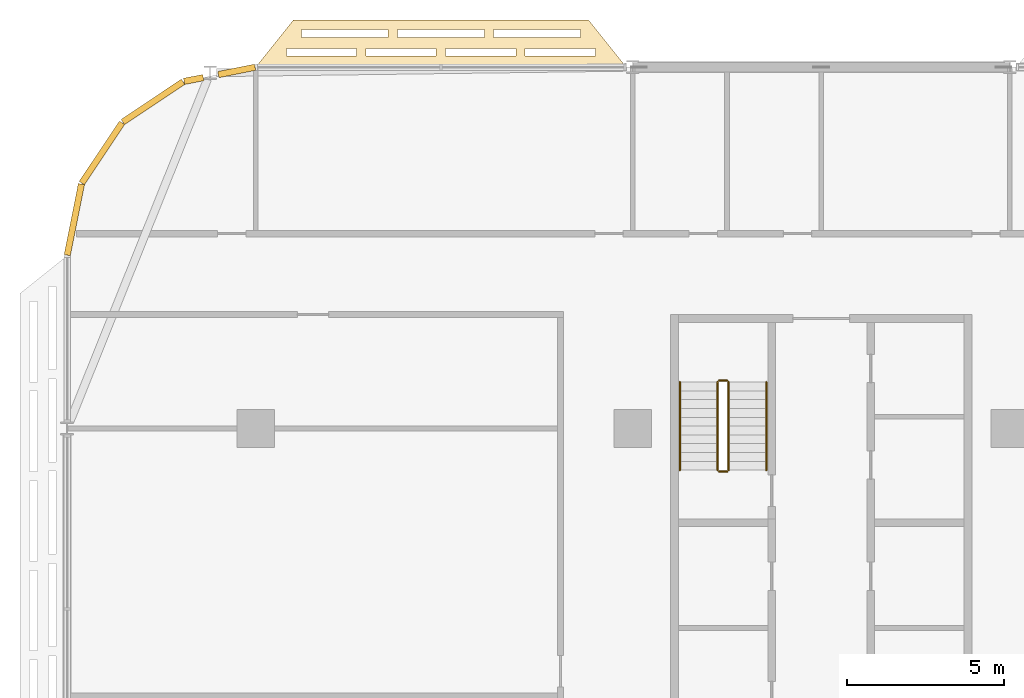
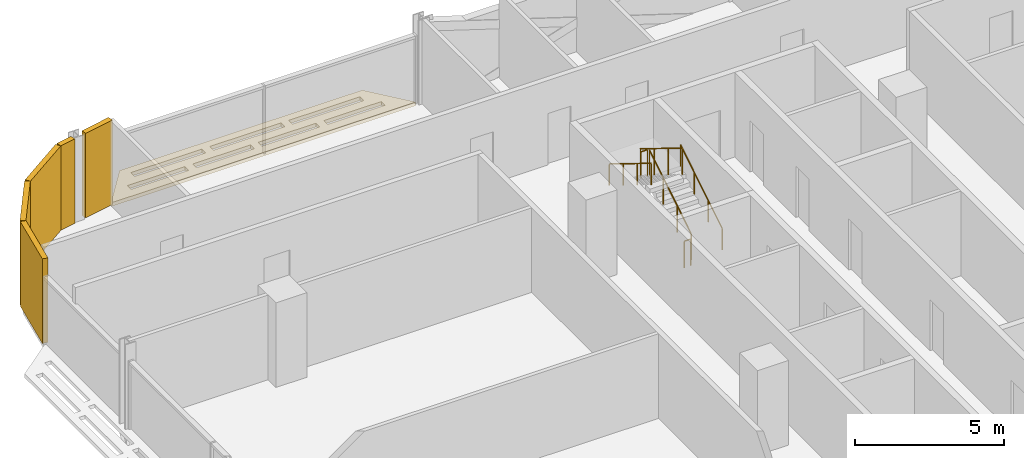
# One storey, part 24 of 27: 6 coverings, 6 railings.
"""IFC4 building model written with IfcOpenShell, lengths in metres."""

import ifcopenshell
import ifcopenshell.guid

model = None  # the IFC model being written
_history = None  # IfcOwnerHistory: only IFC2X3 demands one
_inside = {}  # id of a spatial element -> (the spatial element, [elements in it])
_under = {}  # id of a project, library or spatial element -> (it, [spatial elements below it])
_declared = {}  # id of a project -> (the project, [libraries it declares])
_typed = {}  # id of a type object -> (the type object, [elements of that type])
_made_of = {}  # id of a material, layer set ... -> (it, [elements and type objects made of it])


def new_model(schema):
    """Start an empty IFC model of exactly this schema.

    Asked for "IFC4X3", IfcOpenShell would pick the latest addendum, in which some entities
    have other attributes; the version numbers below select the first issue.
    IFC2X3 requires an IfcOwnerHistory on every rooted entity: one is made here for all.
    """
    global model, _history
    if schema == "IFC4X3":
        model = ifcopenshell.file(schema_version=(4, 3, 0, 0))
    else:
        model = ifcopenshell.file(schema=schema)
    _inside.clear()
    _under.clear()
    _declared.clear()
    _typed.clear()
    _made_of.clear()
    _history = None
    if model.schema == "IFC2X3":
        org = make("IfcOrganization", Name="unknown")
        user = make(
            "IfcPersonAndOrganization",
            ThePerson=make("IfcPerson", FamilyName="unknown"),
            TheOrganization=org,
        )
        app = make(
            "IfcApplication",
            ApplicationDeveloper=org,
            Version="unknown",
            ApplicationFullName="unknown",
            ApplicationIdentifier="unknown",
        )
        _history = make(
            "IfcOwnerHistory",
            OwningUser=user,
            OwningApplication=app,
            ChangeAction="ADDED",
            CreationDate=0,
        )
    return model


def make(cls, **values):
    """One entity of the class cls with the attributes given. An attribute that is None is left unset."""
    return model.create_entity(
        cls, **{name: value for name, value in values.items() if value is not None}
    )


def rooted(cls, **values):
    """An entity with a GlobalId (a new one), such as an element, a storey or a relation."""
    return make(cls, GlobalId=ifcopenshell.guid.new(), OwnerHistory=_history, **values)


def si_unit(unit_type, name, prefix=None):
    """IfcSIUnit, for example si_unit("LENGTHUNIT", "METRE", prefix="MILLI")."""
    return make("IfcSIUnit", UnitType=unit_type, Prefix=prefix, Name=name)


def assignment(units):
    """IfcUnitAssignment: the units of a project."""
    return None if units is None else make("IfcUnitAssignment", Units=units)


def point(xyz):
    """IfcCartesianPoint."""
    return None if xyz is None else make("IfcCartesianPoint", Coordinates=xyz)


def direction(xyz):
    """IfcDirection."""
    return None if xyz is None else make("IfcDirection", DirectionRatios=xyz)


def frame(location, z_axis=None, x_axis=None):
    """IfcAxis2Placement3D, a coordinate frame: its origin and axes. An axis left out is left unset."""
    return make(
        "IfcAxis2Placement3D",
        Location=point(location),
        Axis=direction(z_axis),
        RefDirection=direction(x_axis),
    )


def frame_2d(location, x_axis=None):
    """IfcAxis2Placement2D, a coordinate frame in the plane: its origin and x axis."""
    return make(
        "IfcAxis2Placement2D", Location=point(location), RefDirection=direction(x_axis)
    )


def origin():
    """The frame at (0, 0, 0) with its axes left unset."""
    return frame((0.0, 0.0, 0.0))


def origin_2d():
    """The frame at (0, 0) in the plane with its x axis left unset."""
    return frame_2d((0.0, 0.0))


def place(relative_to, where):
    """IfcLocalPlacement: puts the frame where relative to a parent placement (None: the world)."""
    return make(
        "IfcLocalPlacement", PlacementRelTo=relative_to, RelativePlacement=where
    )


def context(
    kind, dimensions, precision=None, world=None, true_north=None, identifier=None
):
    """IfcGeometricRepresentationContext, for example the 3D "Model" context."""
    return make(
        "IfcGeometricRepresentationContext",
        ContextIdentifier=identifier,
        ContextType=kind,
        CoordinateSpaceDimension=dimensions,
        Precision=precision,
        WorldCoordinateSystem=world,
        TrueNorth=true_north,
    )


def subcontext(parent, identifier, kind, view, scale=None):
    """IfcGeometricRepresentationSubContext, for example "Body" below "Model"."""
    return make(
        "IfcGeometricRepresentationSubContext",
        ContextIdentifier=identifier,
        ContextType=kind,
        ParentContext=parent,
        TargetScale=scale,
        TargetView=view,
    )


def project(units=None, contexts=None):
    """IfcProject with its units and contexts."""
    return rooted(
        "IfcProject",
        Name="project",
        RepresentationContexts=contexts,
        UnitsInContext=assignment(units),
    )


def spatial(cls, under=None, at=None, **own):
    """A site, building, storey or space (cls), placed at a placement, below another one or the project."""
    s = rooted(cls, ObjectPlacement=at, **own)
    if under is not None:
        _under.setdefault(under.id(), (under, []))[1].append(s)
    return s


def polyline(points):
    """IfcPolyline through the points."""
    return make("IfcPolyline", Points=[point(p) for p in points])


def profile(cls, at=None, kind="AREA", **sizes):
    """A parametric profile (cls). Its sizes go by their IFC names, for example OverallWidth=200.0."""
    return make(cls, ProfileType=kind, Position=at, **sizes)


def rectangle(**sizes):
    """IfcRectangleProfileDef."""
    return profile("IfcRectangleProfileDef", **sizes)


def circle(**sizes):
    """IfcCircleProfileDef."""
    return profile("IfcCircleProfileDef", **sizes)


def outline(outer, holes=None, kind="AREA"):
    """IfcArbitraryClosedProfileDef: a profile drawn as a closed curve; with holes, ...WithVoids."""
    if holes is None:
        return make("IfcArbitraryClosedProfileDef", ProfileType=kind, OuterCurve=outer)
    return make(
        "IfcArbitraryProfileDefWithVoids",
        ProfileType=kind,
        OuterCurve=outer,
        InnerCurves=holes,
    )


def extrude(swept, where, along, depth):
    """IfcExtrudedAreaSolid: the profile swept, set in the frame where, extruded along a direction by depth."""
    return make(
        "IfcExtrudedAreaSolid",
        SweptArea=swept,
        Position=where,
        ExtrudedDirection=direction(along),
        Depth=depth,
    )


def shape(context_of_items, identifier, shape_type, items):
    """IfcShapeRepresentation: the items that make up one representation, for example the "Body"."""
    return make(
        "IfcShapeRepresentation",
        ContextOfItems=context_of_items,
        RepresentationIdentifier=identifier,
        RepresentationType=shape_type,
        Items=items,
    )


def material(Name=None, Category=None):
    """IfcMaterial."""
    return make("IfcMaterial", Name=Name, Category=Category)


def layer(
    of_material, thickness, ventilated=None, Name=None, Category=None, Priority=None
):
    """IfcMaterialLayer: one layer of a wall or slab, of a material (None: an air gap)."""
    return make(
        "IfcMaterialLayer",
        Material=of_material,
        LayerThickness=thickness,
        IsVentilated=ventilated,
        Name=Name,
        Category=Category,
        Priority=Priority,
    )


def layer_set(layers, Name=None):
    """IfcMaterialLayerSet."""
    return make("IfcMaterialLayerSet", MaterialLayers=layers, LayerSetName=Name)


def made_of(thing, what):
    """Note that an element or type object is made of a material, layer set ...; save() writes the relation."""
    if what is not None:
        _made_of.setdefault(what.id(), (what, []))[1].append(thing)
    return thing


def type_object(cls, material=None, **own):
    """A type object (cls), such as IfcWallType, which elements share."""
    return made_of(rooted(cls, **own), material)


def element(
    cls,
    number,
    at=None,
    inside=None,
    cuts=None,
    type_object=None,
    material=None,
    context=None,
    identifier="Body",
    shape_type=None,
    held_by="IfcProductDefinitionShape",
    body=None,
    shapes=None,
    **own,
):
    """One element of the class cls, such as IfcWall. Its Tag is "e" and its number.

    at: its placement. inside: the storey or other place that contains it. cuts: it is an
    opening in that element (IfcRelVoidsElement). A single representation is given by context,
    identifier, shape_type and body (its items); several are given by shapes. held_by: the class
    of the entity that holds the representations. save() writes the other relations.
    """
    e = rooted(cls, Tag="e%d" % number, ObjectPlacement=at, **own)
    if body is not None:
        shapes = [shape(context, identifier, shape_type, body)]
    if shapes is not None:
        e.Representation = make(held_by, Representations=shapes)
    if inside is not None:
        _inside.setdefault(inside.id(), (inside, []))[1].append(e)
    if cuts is not None:
        rooted(
            "IfcRelVoidsElement", RelatingBuildingElement=cuts, RelatedOpeningElement=e
        )
    if type_object is not None:
        _typed.setdefault(type_object.id(), (type_object, []))[1].append(e)
    return made_of(e, material)


def aggregate(whole, parts):
    """IfcRelAggregates: a whole, such as a stair, and the parts it consists of."""
    return rooted("IfcRelAggregates", RelatingObject=whole, RelatedObjects=parts)


def save(model, path):
    """Write the relations noted so far, then the file.

    IfcRelAggregates (storeys below a building ...), IfcRelContainedInSpatialStructure (elements
    in a storey), IfcRelDefinesByType, IfcRelAssociatesMaterial and IfcRelDeclares: one each for
    every whole, place, type object, material and project.
    """
    for whole, parts in _under.values():
        aggregate(whole, parts)
    for where, things in _inside.values():
        rooted(
            "IfcRelContainedInSpatialStructure",
            RelatedElements=things,
            RelatingStructure=where,
        )
    for kind, things in _typed.values():
        rooted("IfcRelDefinesByType", RelatedObjects=things, RelatingType=kind)
    for what, things in _made_of.values():
        rooted("IfcRelAssociatesMaterial", RelatedObjects=things, RelatingMaterial=what)
    for by, libraries in _declared.values():
        rooted("IfcRelDeclares", RelatingContext=by, RelatedDefinitions=libraries)
    model.write(path)


model = new_model("IFC4")

# Units and contexts
model_context = context("Model", 3, precision=1e-05, world=origin(), true_north=direction((0.0, 1.0)))
body_context = subcontext(model_context, "Body", "Model", "MODEL_VIEW")
ifc_project = project(units=[si_unit("LENGTHUNIT", "METRE"), si_unit("AREAUNIT", "SQUARE_METRE"), si_unit("VOLUMEUNIT", "CUBIC_METRE"), si_unit("PLANEANGLEUNIT", "RADIAN"), si_unit("MASSUNIT", "GRAM", prefix="KILO")], contexts=[model_context])

# Site, building, storey
site_placement = place(None, origin())
site = spatial("IfcSite", under=ifc_project, at=site_placement, CompositionType="ELEMENT")
building_placement = place(site_placement, origin())
building = spatial("IfcBuilding", under=site, at=building_placement, Name="Mahtab Terrace Research Tower", CompositionType="ELEMENT")
storey_placement = place(building_placement, frame((0.0, 0.0, 170.60009765625)))
storey = spatial("IfcBuildingStorey", under=building, at=storey_placement, Name="L40", CompositionType="ELEMENT", Elevation=170.60009765625)

# Coverings
ifc_material_1 = material(Name="Black aluminium cladding panel", Category="aluminium")
ifc_layer_1 = layer(ifc_material_1, 0.199951171875)
ifc_layer_set_1 = layer_set([ifc_layer_1], Name="Black metal corner cladding 200")
covering_type_1 = type_object("IfcCoveringType", Name="Black metal corner cladding 200", PredefinedType="CLADDING", material=ifc_layer_set_1)
covering_1_placement = place(storey_placement, frame((-42.603271484375, 22.8798828125, 0.0), z_axis=(0.0, 0.0, 1.0), x_axis=(-0.980760981187, -0.195212442692, 0.0)))
element("IfcCovering", 1, at=covering_1_placement, inside=storey, type_object=covering_type_1, Name="Corner cladding L40 10", PredefinedType="CLADDING", context=body_context, shape_type="SweptSolid", body=[
    extrude(rectangle(XDim=1.1904296875, YDim=0.199951171875, at=origin_2d()), origin(), (0.0, 0.0, 1.0), 3.4599609375),
])
covering_2_placement = place(storey_placement, frame((-43.9716796875, 22.607666015625, 0.0), z_axis=(0.0, 0.0, 1.0), x_axis=(-0.980760981187, -0.195212442692, 0.0)))
element("IfcCovering", 2, at=covering_2_placement, inside=storey, type_object=covering_type_1, Name="Corner cladding L40 11", PredefinedType="CLADDING", context=body_context, shape_type="SweptSolid", body=[
    extrude(rectangle(XDim=0.62158203125, YDim=0.199951171875, at=origin_2d()), origin(), (0.0, 0.0, 1.0), 3.4599609375),
])
for number, where, z_axis, x_axis, name in (
    (3, (-45.26953125, 21.89306640625, 0.0), (0.0, 0.0, 1.0), (-0.831655794326, -0.555291490808, 0.0), "Corner cladding L40 12"),
    (4, (-46.89306640625, 20.26953125, 0.0), (0.0, 0.0, 1.0), (-0.555291490808, -0.831655794326, 0.0), "Corner cladding L40 13"),
    (5, (-47.771484375, 18.14794921875, 0.0), (0.0, 0.0, 1.0), (-0.195212442692, -0.980760981187, 0.0), "Corner cladding L40 14"),
):
    element("IfcCovering", number, at=place(storey_placement, frame(where, z_axis=z_axis, x_axis=x_axis)), inside=storey, type_object=covering_type_1, Name=name, PredefinedType="CLADDING", context=body_context, shape_type="SweptSolid", body=[
        extrude(rectangle(XDim=2.30126953125, YDim=0.199951171875, at=origin_2d()), origin(), (0.0, 0.0, 1.0), 3.4599609375),
    ])
ifc_material_2 = material(Name="Black anodised aluminium", Category="aluminium")
ifc_layer_2 = layer(ifc_material_2, 0.14990234375)
ifc_layer_set_2 = layer_set([ifc_layer_2], Name="Horizontal sunshade band")
covering_type_2 = type_object("IfcCoveringType", Name="Horizontal sunshade band", PredefinedType="CLADDING", material=ifc_layer_set_2)
covering_3_placement = place(storey_placement, frame((0.0, 0.0, -0.150146484375)))
element("IfcCovering", 6, at=covering_3_placement, inside=storey, type_object=covering_type_2, Name="Sunshade band L40 9", PredefinedType="CLADDING", context=body_context, shape_type="SweptSolid", body=[
    extrude(outline(polyline([(-30.2080078125, 23.0), (-42.0, 23.0), (-40.800048828125, 24.5), (-31.407958984375, 24.5), (-30.2080078125, 23.0)]), holes=[polyline([(-31.18798828125, 23.35009765625), (-33.4208984375, 23.35009765625), (-33.4208984375, 23.60009765625), (-31.18798828125, 23.60009765625), (-31.18798828125, 23.35009765625)]), polyline([(-33.720947265625, 23.35009765625), (-35.9541015625, 23.35009765625), (-35.9541015625, 23.60009765625), (-33.720947265625, 23.60009765625), (-33.720947265625, 23.35009765625)]), polyline([(-36.25390625, 23.35009765625), (-38.487060546875, 23.35009765625), (-38.487060546875, 23.60009765625), (-36.25390625, 23.60009765625), (-36.25390625, 23.35009765625)]), polyline([(-38.787109375, 23.35009765625), (-41.02001953125, 23.35009765625), (-41.02001953125, 23.60009765625), (-38.787109375, 23.60009765625), (-38.787109375, 23.35009765625)]), polyline([(-31.66796875, 23.949951171875), (-34.425048828125, 23.949951171875), (-34.425048828125, 24.199951171875), (-31.66796875, 24.199951171875), (-31.66796875, 23.949951171875)]), polyline([(-34.72509765625, 23.949951171875), (-37.48291015625, 23.949951171875), (-37.48291015625, 24.199951171875), (-34.72509765625, 24.199951171875), (-34.72509765625, 23.949951171875)]), polyline([(-37.782958984375, 23.949951171875), (-40.5400390625, 23.949951171875), (-40.5400390625, 24.199951171875), (-37.782958984375, 24.199951171875), (-37.782958984375, 23.949951171875)])]), origin(), (0.0, 0.0, 1.0), 0.150146484375),
])

# Railings
ifc_material_3 = material(Name="Stainless steel AISI 304", Category="steel")
railing_type_1 = type_object("IfcRailingType", Name="Stair guard 1100", PredefinedType="GUARDRAIL", material=ifc_material_3)
railing_1_placement = place(storey_placement, frame((-26.949951171875, 10.175048828125, 0.172607421875)))
element("IfcRailing", 7, at=railing_1_placement, inside=storey, type_object=railing_type_1, Name="L40 ST1 stair guard 1", PredefinedType="GUARDRAIL", context=body_context, shape_type="SweptSolid", body=[
    extrude(circle(Radius=0.02392578125, at=origin_2d()), frame((0.0, 0.0, 1.076171875), z_axis=(0.0, 0.851089632645, 0.525020415988), x_axis=(-1.0, 0.0, 0.0)), (0.0, 0.0, 1.0), 3.2900390625),
    extrude(circle(Radius=0.02099609375, at=origin_2d()), origin(), (0.0, 0.0, 1.0), 1.052001953125),
    extrude(circle(Radius=0.02099609375, at=origin_2d()), frame((0.0, 0.933349609375, 0.57568359375)), (0.0, 0.0, 1.0), 1.052001953125),
    extrude(circle(Radius=0.02099609375, at=origin_2d()), frame((0.0, 1.86669921875, 1.151611328125)), (0.0, 0.0, 1.0), 1.052001953125),
    extrude(circle(Radius=0.02099609375, at=origin_2d()), frame((0.0, 2.800048828125, 1.727294921875)), (0.0, 0.0, 1.0), 1.052001953125),
])
railing_2_placement = place(storey_placement, frame((-27.0, 13.02490234375, 1.89990234375)))
element("IfcRailing", 8, at=railing_2_placement, inside=storey, type_object=railing_type_1, Name="L40 ST1 stair guard 2", PredefinedType="GUARDRAIL", context=body_context, shape_type="SweptSolid", body=[
    extrude(circle(Radius=0.02392578125, at=origin_2d()), frame((0.0, 0.0, 1.076171875), z_axis=(-1.0, 0.0, 0.0), x_axis=(0.0, -1.0, 0.0)), (0.0, 0.0, 1.0), 0.25),
    extrude(circle(Radius=0.02099609375, at=origin_2d()), origin(), (0.0, 0.0, 1.0), 1.052001953125),
    extrude(circle(Radius=0.02099609375, at=origin_2d()), frame((-0.25, 0.0, 0.0)), (0.0, 0.0, 1.0), 1.052001953125),
])
railing_3_placement = place(storey_placement, frame((-27.300048828125, 12.97509765625, 2.072509765625)))
element("IfcRailing", 9, at=railing_3_placement, inside=storey, type_object=railing_type_1, Name="L40 ST1 stair guard 3", PredefinedType="GUARDRAIL", context=body_context, shape_type="SweptSolid", body=[
    extrude(circle(Radius=0.02392578125, at=origin_2d()), frame((0.0, 0.0, 1.076171875), z_axis=(0.0, -0.851089632645, 0.525020415988), x_axis=(1.0, 0.0, 0.0)), (0.0, 0.0, 1.0), 3.2900390625),
    extrude(circle(Radius=0.02099609375, at=origin_2d()), origin(), (0.0, 0.0, 1.0), 1.052001953125),
    extrude(circle(Radius=0.02099609375, at=origin_2d()), frame((0.0, -0.933349609375, 0.57568359375)), (0.0, 0.0, 1.0), 1.052001953125),
    extrude(circle(Radius=0.02099609375, at=origin_2d()), frame((0.0, -1.86669921875, 1.151611328125)), (0.0, 0.0, 1.0), 1.052001953125),
    extrude(circle(Radius=0.02099609375, at=origin_2d()), frame((0.0, -2.800048828125, 1.727294921875)), (0.0, 0.0, 1.0), 1.052001953125),
])
railing_4_placement = place(storey_placement, frame((-27.0, 10.125, 0.0)))
element("IfcRailing", 10, at=railing_4_placement, inside=storey, type_object=railing_type_1, Name="L40 ST1 stair guard 4", PredefinedType="GUARDRAIL", context=body_context, shape_type="SweptSolid", body=[
    extrude(circle(Radius=0.02392578125, at=origin_2d()), frame((0.0, 0.0, 1.076171875), z_axis=(-1.0, 0.0, 0.0), x_axis=(0.0, -1.0, 0.0)), (0.0, 0.0, 1.0), 0.25),
    extrude(circle(Radius=0.02099609375, at=origin_2d()), origin(), (0.0, 0.0, 1.0), 1.052001953125),
    extrude(circle(Radius=0.02099609375, at=origin_2d()), frame((-0.25, 0.0, 0.0)), (0.0, 0.0, 1.0), 1.052001953125),
])
railing_type_2 = type_object("IfcRailingType", Name="Stair handrail 900", PredefinedType="HANDRAIL", material=ifc_material_3)
railing_5_placement = place(storey_placement, frame((-25.75, 10.175048828125, 0.172607421875)))
element("IfcRailing", 11, at=railing_5_placement, inside=storey, type_object=railing_type_2, Name="L40 ST1 stair handrail 1", PredefinedType="HANDRAIL", context=body_context, shape_type="SweptSolid", body=[
    extrude(circle(Radius=0.02392578125, at=origin_2d()), frame((0.0, 0.0, 0.8759765625), z_axis=(0.0, 0.851089632645, 0.525020415988), x_axis=(-1.0, 0.0, 0.0)), (0.0, 0.0, 1.0), 3.2900390625),
    extrude(circle(Radius=0.02099609375, at=origin_2d()), origin(), (0.0, 0.0, 1.0), 0.851806640625),
    extrude(circle(Radius=0.02099609375, at=origin_2d()), frame((0.0, 0.933349609375, 0.57568359375)), (0.0, 0.0, 1.0), 0.851806640625),
    extrude(circle(Radius=0.02099609375, at=origin_2d()), frame((0.0, 1.86669921875, 1.151611328125)), (0.0, 0.0, 1.0), 0.851806640625),
    extrude(circle(Radius=0.02099609375, at=origin_2d()), frame((0.0, 2.800048828125, 1.727294921875)), (0.0, 0.0, 1.0), 0.851806640625),
])
railing_6_placement = place(storey_placement, frame((-28.5, 12.97509765625, 2.072509765625)))
element("IfcRailing", 12, at=railing_6_placement, inside=storey, type_object=railing_type_2, Name="L40 ST1 stair handrail 2", PredefinedType="HANDRAIL", context=body_context, shape_type="SweptSolid", body=[
    extrude(circle(Radius=0.02392578125, at=origin_2d()), frame((0.0, 0.0, 0.8759765625), z_axis=(0.0, -0.851089632645, 0.525020415988), x_axis=(1.0, 0.0, 0.0)), (0.0, 0.0, 1.0), 3.2900390625),
    extrude(circle(Radius=0.02099609375, at=origin_2d()), origin(), (0.0, 0.0, 1.0), 0.851806640625),
    extrude(circle(Radius=0.02099609375, at=origin_2d()), frame((0.0, -0.933349609375, 0.57568359375)), (0.0, 0.0, 1.0), 0.851806640625),
    extrude(circle(Radius=0.02099609375, at=origin_2d()), frame((0.0, -1.86669921875, 1.151611328125)), (0.0, 0.0, 1.0), 0.851806640625),
    extrude(circle(Radius=0.02099609375, at=origin_2d()), frame((0.0, -2.800048828125, 1.727294921875)), (0.0, 0.0, 1.0), 0.851806640625),
])

save(model, "model.ifc")
